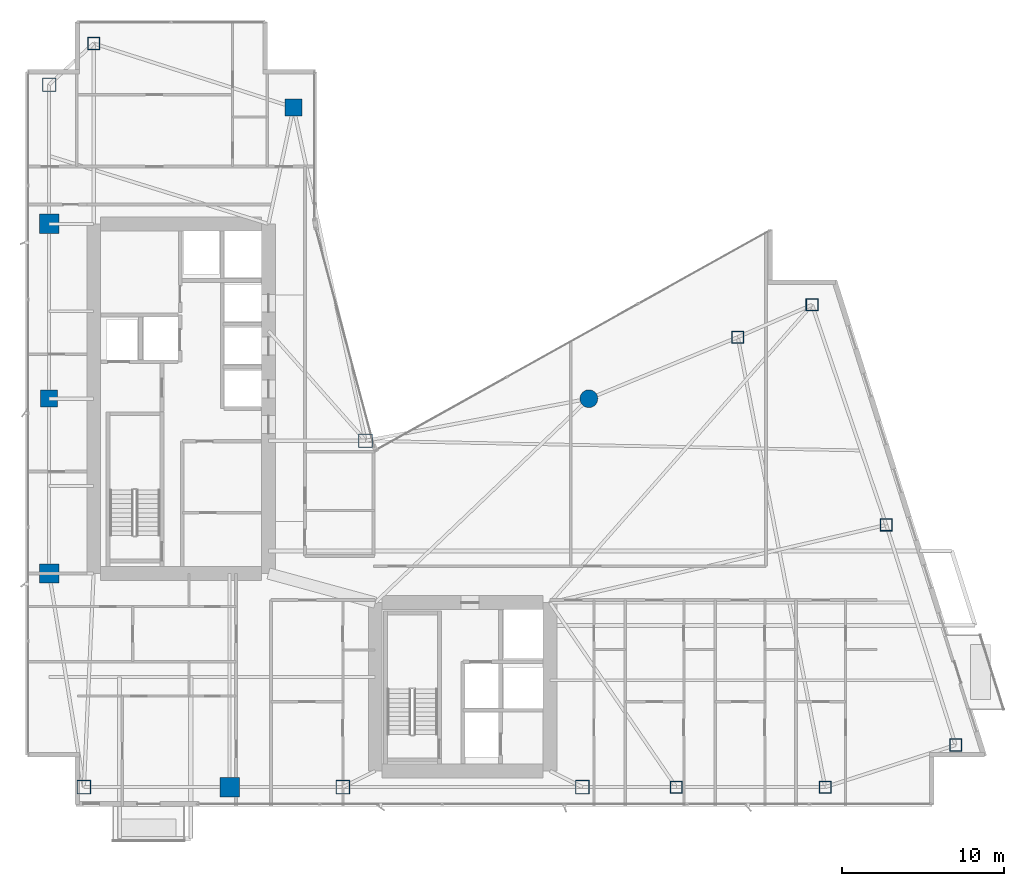
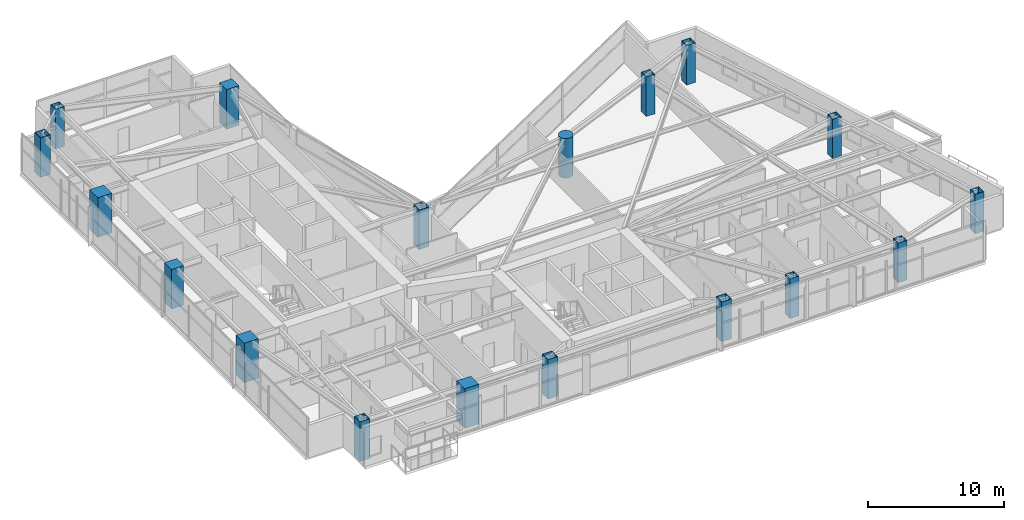
# One storey, part 1 of 29: 18 columns.
"""IFC4 building model written with IfcOpenShell, lengths in metres."""

from ifc_helpers import new_model, si_unit, direction, frame, origin, origin_2d, place, context, subcontext, project, spatial, rectangle, hollow_rectangle, circle, extrude, material, material_profile, profile_set, type_object, element, save


model = new_model("IFC4")

# Units and contexts
model_context = context("Model", 3, precision=1e-05, world=origin(), true_north=direction((0.0, 1.0)))
body_context = subcontext(model_context, "Body", "Model", "MODEL_VIEW")
ifc_project = project(units=[si_unit("LENGTHUNIT", "METRE"), si_unit("AREAUNIT", "SQUARE_METRE"), si_unit("VOLUMEUNIT", "CUBIC_METRE"), si_unit("PLANEANGLEUNIT", "RADIAN"), si_unit("MASSUNIT", "GRAM", prefix="KILO")], contexts=[model_context])

# Site, building, storey
site_placement = place(None, origin())
site = spatial("IfcSite", under=ifc_project, at=site_placement, CompositionType="ELEMENT")
building_placement = place(site_placement, origin())
building = spatial("IfcBuilding", under=site, at=building_placement, Name="Calvorn Quay Hotel", CompositionType="ELEMENT")
storey_placement = place(building_placement, frame((0.0, 0.0, 171.300048828125)))
storey = spatial("IfcBuildingStorey", under=building, at=storey_placement, Name="L42", CompositionType="ELEMENT", Elevation=171.300048828125)

# Columns
ifc_material_1 = material(Name="Concrete C50", Category="concrete")
ifc_material_profile_1 = material_profile(ifc_material_1, rectangle(XDim=1.050048828125, YDim=1.050048828125, at=origin_2d()), Name="RC1050x1050")
ifc_profile_set_1 = profile_set([ifc_material_profile_1], Name="Concrete C50")
column_type_1 = type_object("IfcColumnType", Name="COL-RC-1050", PredefinedType="COLUMN", material=ifc_profile_set_1)
for number, where, z_axis, x_axis, name in (
    (1, (1.449951171875, 27.60009765625, 0.0), (0.0, 0.0, 1.0), (1.0, 0.0, 0.0), "Column C-W3 (L42)"),
    (2, (16.550048828125, 45.60009765625, 0.0), (0.0, 0.0, 1.0), (1.0, 0.0, 0.0), "Column C-IC1 (L42)"),
):
    element("IfcColumn", number, at=place(storey_placement, frame(where, z_axis=z_axis, x_axis=x_axis)), inside=storey, type_object=column_type_1, Name=name, PredefinedType="COLUMN", context=body_context, shape_type="SweptSolid", body=[
        extrude(rectangle(XDim=1.050048828125, YDim=1.050048828125, at=origin_2d()), origin(), (0.0, 0.0, 1.0), 3.56005859375),
    ])
ifc_material_2 = material(Name="Concrete C50", Category="concrete")
ifc_material_profile_2 = material_profile(ifc_material_2, rectangle(XDim=1.199951171875, YDim=1.199951171875, at=origin_2d()), Name="RC1200x1200")
ifc_profile_set_2 = profile_set([ifc_material_profile_2], Name="Concrete C50")
column_type_2 = type_object("IfcColumnType", Name="COL-RC-1200", PredefinedType="COLUMN", material=ifc_profile_set_2)
for number, where, z_axis, x_axis, name in (
    (3, (1.449951171875, 16.800048828125, 0.0), (0.0, 0.0, 1.0), (1.0, 0.0, 0.0), "Column C-W2 (L42)"),
    (4, (1.449951171875, 38.39990234375, 0.0), (0.0, 0.0, 1.0), (1.0, 0.0, 0.0), "Column C-W4 (L42)"),
    (5, (12.60009765625, 3.60009765625, 0.0), (0.0, 0.0, 1.0), (1.0, 0.0, 0.0), "Column C-S1 (L42)"),
):
    element("IfcColumn", number, at=place(storey_placement, frame(where, z_axis=z_axis, x_axis=x_axis)), inside=storey, type_object=column_type_2, Name=name, PredefinedType="COLUMN", context=body_context, shape_type="SweptSolid", body=[
        extrude(rectangle(XDim=1.199951171875, YDim=1.199951171875, at=origin_2d()), origin(), (0.0, 0.0, 1.0), 3.56005859375),
    ])
ifc_material_3 = material(Name="Concrete C50", Category="concrete")
ifc_material_profile_3 = material_profile(ifc_material_3, circle(Radius=0.550048828125, at=origin_2d()), Name="RCD1100")
ifc_profile_set_3 = profile_set([ifc_material_profile_3], Name="Concrete C50")
column_type_3 = type_object("IfcColumnType", Name="COL-RC-D1100", PredefinedType="COLUMN", material=ifc_profile_set_3)
column_placement = place(storey_placement, frame((34.800048828125, 27.60009765625, 0.0), z_axis=(0.0, 0.0, 1.0), x_axis=(1.0, 0.0, 0.0)))
element("IfcColumn", 6, at=column_placement, inside=storey, type_object=column_type_3, Name="Column C-NC1 (L42)", PredefinedType="COLUMN", context=body_context, shape_type="SweptSolid", body=[
    extrude(circle(Radius=0.550048828125, at=origin_2d()), origin(), (0.0, 0.0, 1.0), 3.56005859375),
])
ifc_material_4 = material(Name="Steel Q390GJC", Category="steel")
ifc_material_profile_4 = material_profile(ifc_material_4, hollow_rectangle(XDim=0.85009765625, YDim=0.85009765625, WallThickness=0.035888671875, at=origin_2d()), Name="BOX850x850x36")
ifc_profile_set_4 = profile_set([ifc_material_profile_4], Name="Steel Q390GJC")
column_type_4 = type_object("IfcColumnType", Name="COL-STL-Z2", PredefinedType="COLUMN", material=ifc_profile_set_4)
for number, where, z_axis, x_axis, name in (
    (7, (3.60009765625, 3.60009765625, 0.0), (0.0, 0.0, 1.0), (1.0, 0.0, 0.0), "Column C-W1 (L42)"),
    (8, (1.449951171875, 47.0, 0.0), (0.0, 0.0, 1.0), (1.0, 0.0, 0.0), "Column C-W5 (L42)"),
    (9, (21.0, 25.0, 0.0), (0.0, 0.0, 1.0), (1.0, 0.0, 0.0), "Column C-IC2 (L42)"),
    (10, (19.60009765625, 3.60009765625, 0.0), (0.0, 0.0, 1.0), (1.0, 0.0, 0.0), "Column C-S2 (L42)"),
    (11, (34.39990234375, 3.60009765625, 0.0), (0.0, 0.0, 1.0), (1.0, 0.0, 0.0), "Column C-S3 (L42)"),
):
    element("IfcColumn", number, at=place(storey_placement, frame(where, z_axis=z_axis, x_axis=x_axis)), inside=storey, type_object=column_type_4, Name=name, PredefinedType="COLUMN", context=body_context, shape_type="SweptSolid", body=[
        extrude(hollow_rectangle(XDim=0.85009765625, YDim=0.85009765625, WallThickness=0.035888671875, at=origin_2d()), origin(), (0.0, 0.0, 1.0), 3.56005859375),
    ])
ifc_material_5 = material(Name="Steel Q390GJC", Category="steel")
ifc_material_profile_5 = material_profile(ifc_material_5, hollow_rectangle(XDim=0.75, YDim=0.75, WallThickness=0.031982421875, at=origin_2d()), Name="BOX750x750x32")
ifc_profile_set_5 = profile_set([ifc_material_profile_5], Name="Steel Q390GJC")
column_type_5 = type_object("IfcColumnType", Name="COL-STL-Z3", PredefinedType="COLUMN", material=ifc_profile_set_5)
for number, where, z_axis, x_axis, name in (
    (12, (4.199951171875, 49.550048828125, 0.0), (0.0, 0.0, 1.0), (1.0, 0.0, 0.0), "Column C-NW1 (L42)"),
    (13, (40.199951171875, 3.60009765625, 0.0), (0.0, 0.0, 1.0), (1.0, 0.0, 0.0), "Column C-S4 (L42)"),
    (14, (49.39990234375, 3.60009765625, 0.0), (0.0, 0.0, 1.0), (1.0, 0.0, 0.0), "Column C-S5 (L42)"),
    (15, (44.0, 31.39990234375, 0.0), (0.0, 0.0, 1.0), (1.0, 0.0, 0.0), "Column C-NC2 (L42)"),
    (16, (57.4609375, 6.199951171875, 0.0), (0.0, 0.0, 1.0), (1.0, 0.0, 0.0), "Column C-ET1 (L42)"),
    (17, (53.176025390625, 19.800048828125, 0.0), (0.0, 0.0, 1.0), (1.0, 0.0, 0.0), "Column C-ET2 (L42)"),
    (18, (48.591064453125, 33.39990234375, 0.0), (0.0, 0.0, 1.0), (1.0, 0.0, 0.0), "Column C-ET3 (L42)"),
):
    element("IfcColumn", number, at=place(storey_placement, frame(where, z_axis=z_axis, x_axis=x_axis)), inside=storey, type_object=column_type_5, Name=name, PredefinedType="COLUMN", context=body_context, shape_type="SweptSolid", body=[
        extrude(hollow_rectangle(XDim=0.75, YDim=0.75, WallThickness=0.031982421875, at=origin_2d()), origin(), (0.0, 0.0, 1.0), 3.56005859375),
    ])

save(model, "model.ifc")
